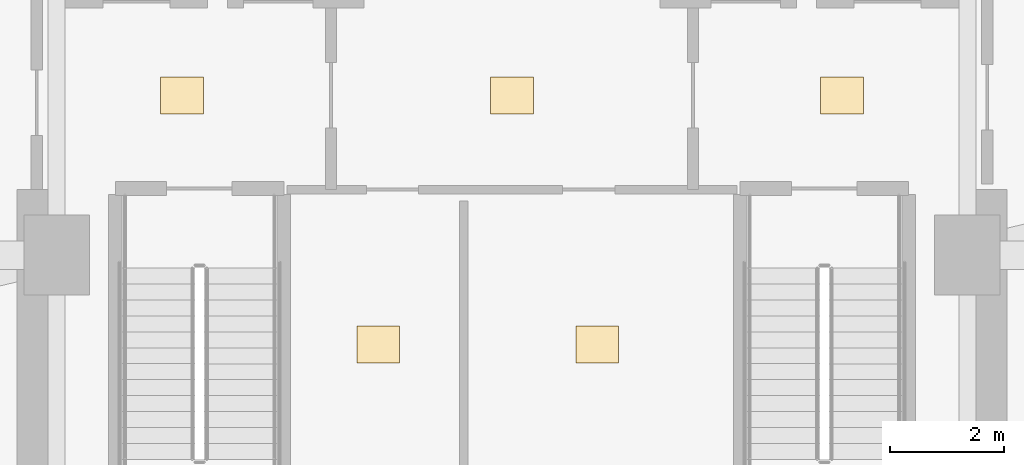
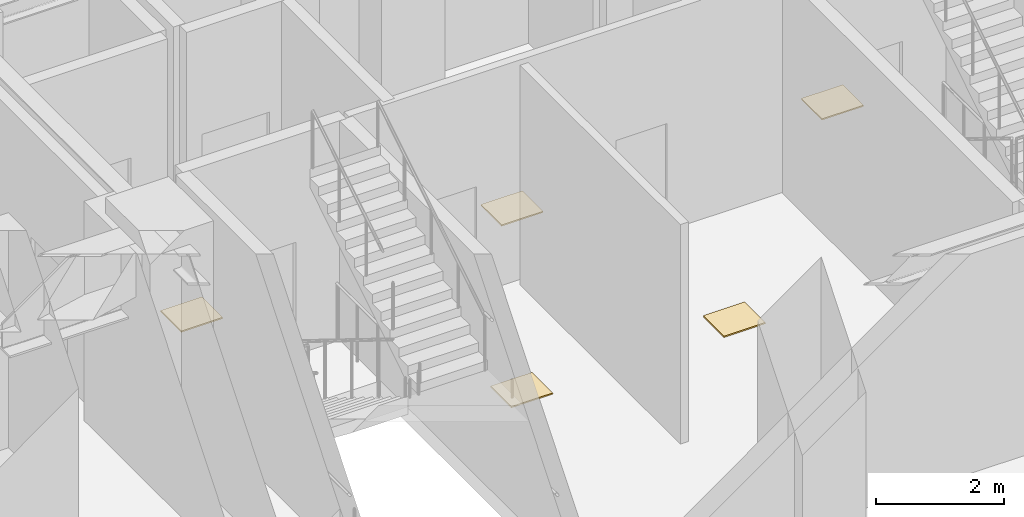
# One storey, part 9 of 9: 5 coverings.
"""IFC4 building model written with IfcOpenShell, lengths in metres."""

from ifc_helpers import new_model, si_unit, direction, frame, origin, origin_2d, place, context, subcontext, project, spatial, rectangle, extrude, material, layer, layer_set, type_object, element, save


model = new_model("IFC4")

# Units and contexts
model_context = context("Model", 3, precision=1e-05, world=origin(), true_north=direction((0.0, 1.0)))
body_context = subcontext(model_context, "Body", "Model", "MODEL_VIEW")
ifc_project = project(units=[si_unit("LENGTHUNIT", "METRE"), si_unit("AREAUNIT", "SQUARE_METRE"), si_unit("VOLUMEUNIT", "CUBIC_METRE"), si_unit("PLANEANGLEUNIT", "RADIAN"), si_unit("MASSUNIT", "GRAM", prefix="KILO")], contexts=[model_context])

# Site, building, storey
site_placement = place(None, origin())
site = spatial("IfcSite", under=ifc_project, at=site_placement, CompositionType="ELEMENT")
building_placement = place(site_placement, origin())
building = spatial("IfcBuilding", under=site, at=building_placement, Name="Ndelora Gate Hotel", CompositionType="ELEMENT")
storey_placement = place(building_placement, frame((0.0, 0.0, -9.0)))
storey = spatial("IfcBuildingStorey", under=building, at=storey_placement, Name="B02", CompositionType="ELEMENT", Elevation=-9.0)

# Coverings
ifc_material = material(Name="Non-Slip Porcelain Wet-Room Tile", Category="ceramic")
ifc_layer = layer(ifc_material, 0.02490234375)
ifc_layer_set = layer_set([ifc_layer], Name="Non-Slip Porcelain Wet-Room Tile")
covering_type = type_object("IfcCoveringType", Name="COV-FLR-TILE", PredefinedType="FLOORING", material=ifc_layer_set)
for number, where, z_axis, x_axis, name in (
    (1, (-5.800048828125, 2.800048828125, 0.0), (0.0, 0.0, 1.0), (1.0, 0.0, 0.0), "B02 Firefighting Lift Lobby West Porcelain Tile Flooring"),
    (2, (5.800048828125, 2.800048828125, 0.0), (0.0, 0.0, 1.0), (1.0, 0.0, 0.0), "B02 Firefighting Lift Lobby East Porcelain Tile Flooring"),
    (3, (0.0, 2.800048828125, 0.0), (0.0, 0.0, 1.0), (1.0, 0.0, 0.0), "B02 Central Passenger Lift Lobby Porcelain Tile Flooring"),
    (4, (-2.35009765625, -1.574951171875, 0.0), (0.0, 0.0, 1.0), (1.0, 0.0, 0.0), "B02 Core Electrical Switchroom Porcelain Tile Flooring"),
    (5, (1.5, -1.574951171875, 0.0), (0.0, 0.0, 1.0), (1.0, 0.0, 0.0), "B02 Central Linen Equipment Store Porcelain Tile Flooring"),
):
    element("IfcCovering", number, at=place(storey_placement, frame(where, z_axis=z_axis, x_axis=x_axis)), inside=storey, type_object=covering_type, Name=name, PredefinedType="FLOORING", context=body_context, shape_type="SweptSolid", body=[
        extrude(rectangle(XDim=0.75, YDim=0.64990234375, at=origin_2d()), origin(), (0.0, 0.0, 1.0), 0.02490234375),
    ])

save(model, "model.ifc")
